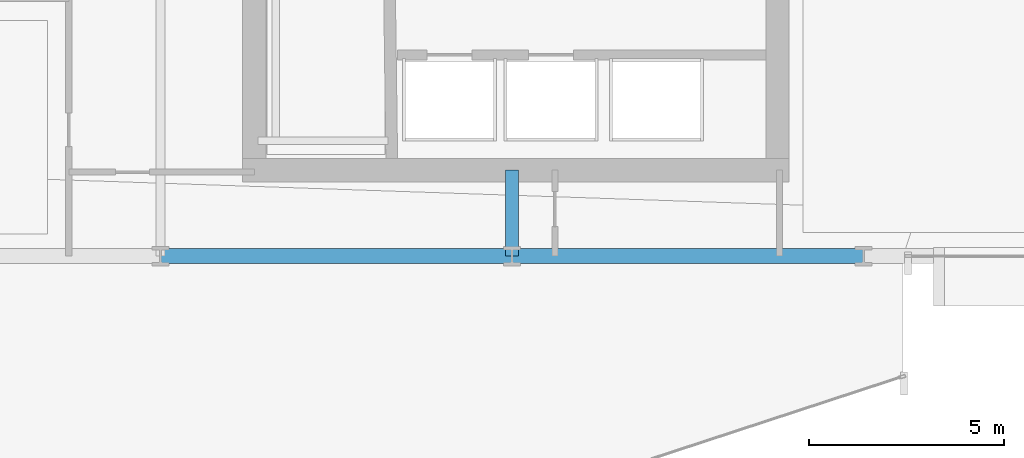
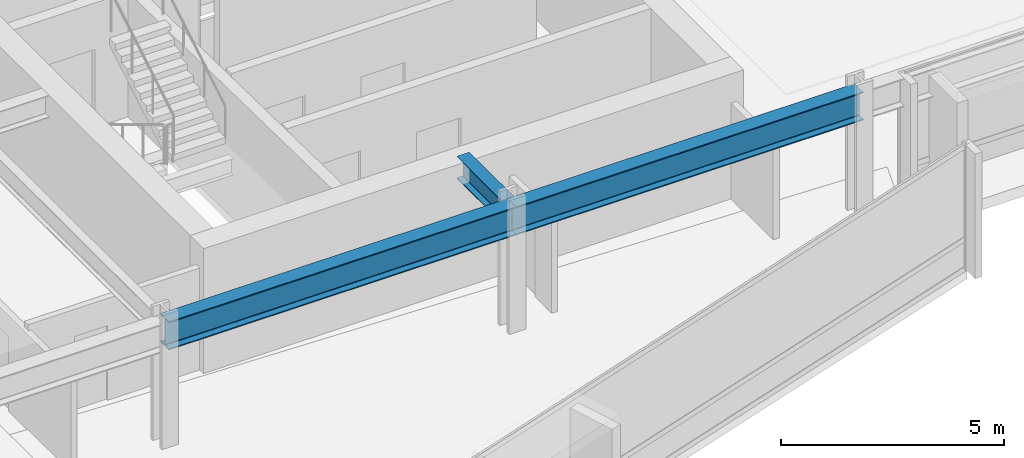
# One storey, part 11 of 34: 3 beams.
"""IFC4 building model written with IfcOpenShell, lengths in metres."""

from ifc_helpers import new_model, si_unit, direction, frame, origin, origin_2d, place, context, subcontext, project, spatial, i_section, extrude, material, material_profile, profile_set, type_object, element, save


model = new_model("IFC4")

# Units and contexts
model_context = context("Model", 3, precision=1e-05, world=origin(), true_north=direction((0.0, 1.0)))
body_context = subcontext(model_context, "Body", "Model", "MODEL_VIEW")
ifc_project = project(units=[si_unit("LENGTHUNIT", "METRE"), si_unit("AREAUNIT", "SQUARE_METRE"), si_unit("VOLUMEUNIT", "CUBIC_METRE"), si_unit("PLANEANGLEUNIT", "RADIAN"), si_unit("MASSUNIT", "GRAM", prefix="KILO")], contexts=[model_context])

# Site, building, storey
site_placement = place(None, origin())
site = spatial("IfcSite", under=ifc_project, at=site_placement, CompositionType="ELEMENT")
building_placement = place(site_placement, origin())
building = spatial("IfcBuilding", under=site, at=building_placement, Name="Solvaryn Broadcast Tower", CompositionType="ELEMENT")
storey_placement = place(building_placement, frame((0.0, 0.0, 61.89990234375)))
storey = spatial("IfcBuildingStorey", under=building, at=storey_placement, Name="L14", CompositionType="ELEMENT", Elevation=61.89990234375)

# Beams
ifc_material_1 = material(Name="Steel ASTM A992 Grade 50", Category="steel")
ifc_material_profile_1 = material_profile(ifc_material_1, i_section(OverallWidth=0.323974609375, OverallDepth=0.611083984375, WebThickness=0.0126953125, FlangeThickness=0.01904296875, FilletRadius=0.014892578125, at=origin_2d()))
ifc_profile_set_1 = profile_set([ifc_material_profile_1], Name="Steel ASTM A992 Grade 50")
beam_type_1 = type_object("IfcBeamType", Name="BM-B1-W24X104", PredefinedType="BEAM", material=ifc_profile_set_1)
beam_placement = place(storey_placement, frame((36.0, 9.0, 3.114501953125), z_axis=(0.0, 1.0, 0.0), x_axis=(-1.0, 0.0, 0.0)))
element("IfcBeam", 1, at=beam_placement, inside=storey, type_object=beam_type_1, Name="L14 Core Tie Beam CTE1", PredefinedType="BEAM", context=body_context, shape_type="SweptSolid", body=[
    extrude(i_section(OverallWidth=0.323974609375, OverallDepth=0.611083984375, WebThickness=0.0126953125, FlangeThickness=0.01904296875, FilletRadius=0.014892578125, at=origin_2d()), origin(), (0.0, 0.0, 1.0), 2.199951171875),
])
ifc_material_2 = material(Name="Steel ASTM A992 Grade 50", Category="steel")
ifc_material_profile_2 = material_profile(ifc_material_2, i_section(OverallWidth=0.381103515625, OverallDepth=0.77294921875, WebThickness=0.0166015625, FlangeThickness=0.027099609375, FilletRadius=0.01806640625, at=origin_2d()))
ifc_profile_set_2 = profile_set([ifc_material_profile_2], Name="Steel ASTM A992 Grade 50")
beam_type_2 = type_object("IfcBeamType", Name="BM-SP1-W30X173", PredefinedType="USERDEFINED", material=ifc_profile_set_2)
for number, where, z_axis, x_axis, name in (
    (2, (27.0, 9.0, 3.03369140625), (1.0, 0.0, 0.0), (0.0, 1.0, 0.0), "L14 Spandrel Beam X (27-36 @ Y=9)"),
    (3, (36.0, 9.0, 3.03369140625), (1.0, 0.0, 0.0), (0.0, 1.0, 0.0), "L14 Spandrel Beam X (36-45 @ Y=9)"),
):
    element("IfcBeam", number, at=place(storey_placement, frame(where, z_axis=z_axis, x_axis=x_axis)), inside=storey, type_object=beam_type_2, Name=name, ObjectType="SPANDREL", PredefinedType="USERDEFINED", context=body_context, shape_type="SweptSolid", body=[
        extrude(i_section(OverallWidth=0.381103515625, OverallDepth=0.77294921875, WebThickness=0.0166015625, FlangeThickness=0.027099609375, FilletRadius=0.01806640625, at=origin_2d()), origin(), (0.0, 0.0, 1.0), 9.0),
    ])

save(model, "model.ifc")
